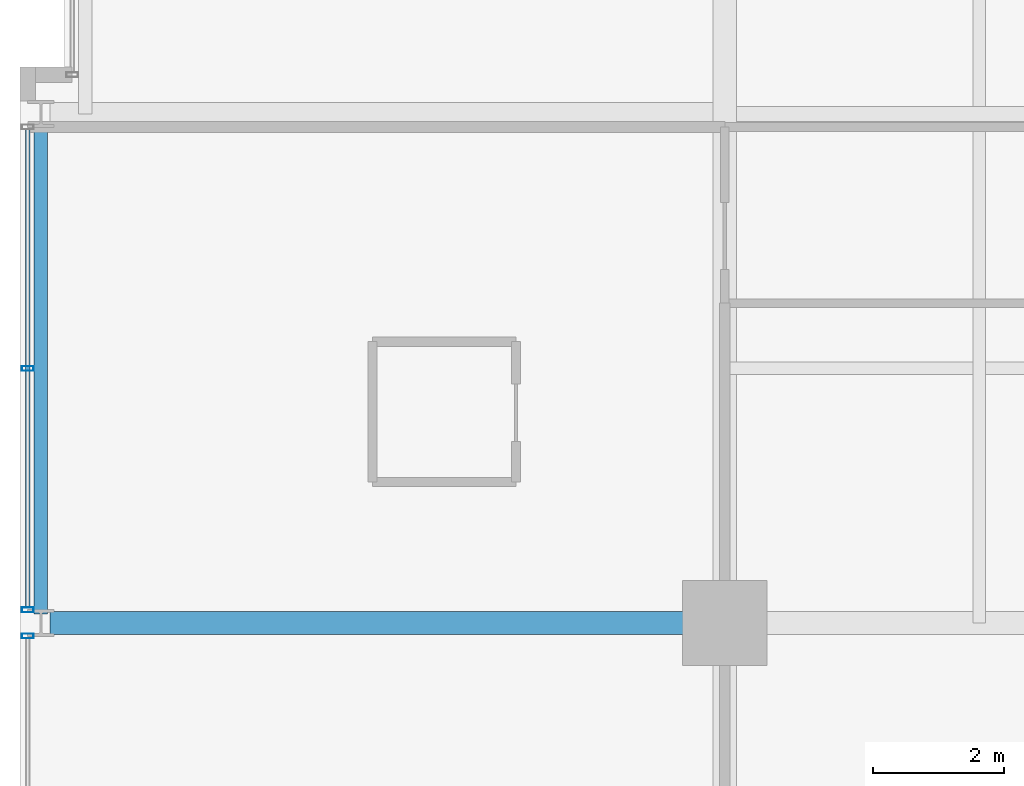
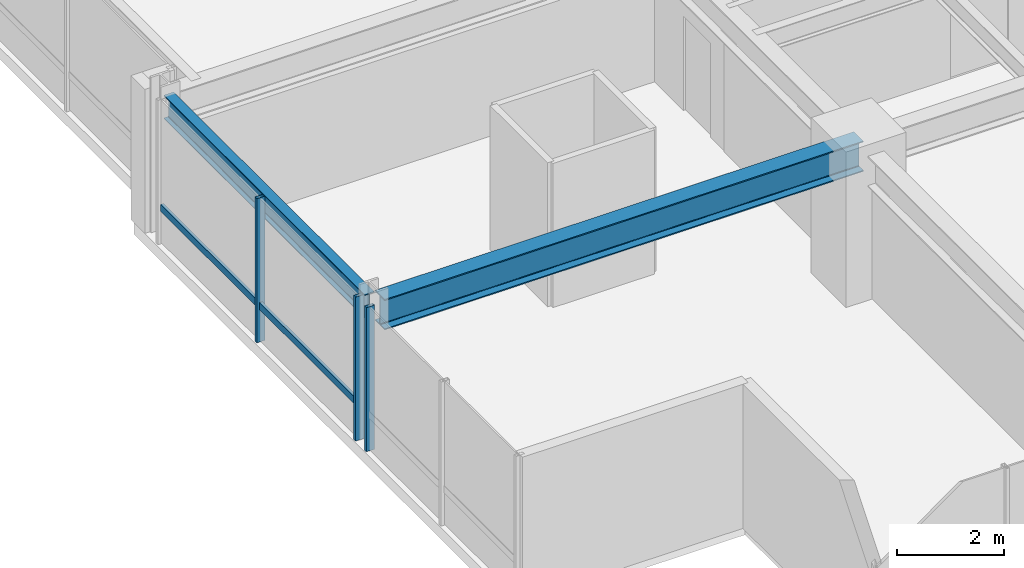
# One storey, part 4 of 33: 4 members, 2 beams, 2 elements without a shape of their own.
"""IFC4 building model written with IfcOpenShell, lengths in metres."""

import ifcopenshell
import ifcopenshell.guid

model = None  # the IFC model being written
_history = None  # IfcOwnerHistory: only IFC2X3 demands one
_inside = {}  # id of a spatial element -> (the spatial element, [elements in it])
_under = {}  # id of a project, library or spatial element -> (it, [spatial elements below it])
_declared = {}  # id of a project -> (the project, [libraries it declares])
_typed = {}  # id of a type object -> (the type object, [elements of that type])
_made_of = {}  # id of a material, layer set ... -> (it, [elements and type objects made of it])


def new_model(schema):
    """Start an empty IFC model of exactly this schema.

    Asked for "IFC4X3", IfcOpenShell would pick the latest addendum, in which some entities
    have other attributes; the version numbers below select the first issue.
    IFC2X3 requires an IfcOwnerHistory on every rooted entity: one is made here for all.
    """
    global model, _history
    if schema == "IFC4X3":
        model = ifcopenshell.file(schema_version=(4, 3, 0, 0))
    else:
        model = ifcopenshell.file(schema=schema)
    _inside.clear()
    _under.clear()
    _declared.clear()
    _typed.clear()
    _made_of.clear()
    _history = None
    if model.schema == "IFC2X3":
        org = make("IfcOrganization", Name="unknown")
        user = make(
            "IfcPersonAndOrganization",
            ThePerson=make("IfcPerson", FamilyName="unknown"),
            TheOrganization=org,
        )
        app = make(
            "IfcApplication",
            ApplicationDeveloper=org,
            Version="unknown",
            ApplicationFullName="unknown",
            ApplicationIdentifier="unknown",
        )
        _history = make(
            "IfcOwnerHistory",
            OwningUser=user,
            OwningApplication=app,
            ChangeAction="ADDED",
            CreationDate=0,
        )
    return model


def make(cls, **values):
    """One entity of the class cls with the attributes given. An attribute that is None is left unset."""
    return model.create_entity(
        cls, **{name: value for name, value in values.items() if value is not None}
    )


def rooted(cls, **values):
    """An entity with a GlobalId (a new one), such as an element, a storey or a relation."""
    return make(cls, GlobalId=ifcopenshell.guid.new(), OwnerHistory=_history, **values)


def si_unit(unit_type, name, prefix=None):
    """IfcSIUnit, for example si_unit("LENGTHUNIT", "METRE", prefix="MILLI")."""
    return make("IfcSIUnit", UnitType=unit_type, Prefix=prefix, Name=name)


def assignment(units):
    """IfcUnitAssignment: the units of a project."""
    return None if units is None else make("IfcUnitAssignment", Units=units)


def point(xyz):
    """IfcCartesianPoint."""
    return None if xyz is None else make("IfcCartesianPoint", Coordinates=xyz)


def direction(xyz):
    """IfcDirection."""
    return None if xyz is None else make("IfcDirection", DirectionRatios=xyz)


def frame(location, z_axis=None, x_axis=None):
    """IfcAxis2Placement3D, a coordinate frame: its origin and axes. An axis left out is left unset."""
    return make(
        "IfcAxis2Placement3D",
        Location=point(location),
        Axis=direction(z_axis),
        RefDirection=direction(x_axis),
    )


def frame_2d(location, x_axis=None):
    """IfcAxis2Placement2D, a coordinate frame in the plane: its origin and x axis."""
    return make(
        "IfcAxis2Placement2D", Location=point(location), RefDirection=direction(x_axis)
    )


def origin():
    """The frame at (0, 0, 0) with its axes left unset."""
    return frame((0.0, 0.0, 0.0))


def origin_2d():
    """The frame at (0, 0) in the plane with its x axis left unset."""
    return frame_2d((0.0, 0.0))


def place(relative_to, where):
    """IfcLocalPlacement: puts the frame where relative to a parent placement (None: the world)."""
    return make(
        "IfcLocalPlacement", PlacementRelTo=relative_to, RelativePlacement=where
    )


def context(
    kind, dimensions, precision=None, world=None, true_north=None, identifier=None
):
    """IfcGeometricRepresentationContext, for example the 3D "Model" context."""
    return make(
        "IfcGeometricRepresentationContext",
        ContextIdentifier=identifier,
        ContextType=kind,
        CoordinateSpaceDimension=dimensions,
        Precision=precision,
        WorldCoordinateSystem=world,
        TrueNorth=true_north,
    )


def subcontext(parent, identifier, kind, view, scale=None):
    """IfcGeometricRepresentationSubContext, for example "Body" below "Model"."""
    return make(
        "IfcGeometricRepresentationSubContext",
        ContextIdentifier=identifier,
        ContextType=kind,
        ParentContext=parent,
        TargetScale=scale,
        TargetView=view,
    )


def project(units=None, contexts=None):
    """IfcProject with its units and contexts."""
    return rooted(
        "IfcProject",
        Name="project",
        RepresentationContexts=contexts,
        UnitsInContext=assignment(units),
    )


def spatial(cls, under=None, at=None, **own):
    """A site, building, storey or space (cls), placed at a placement, below another one or the project."""
    s = rooted(cls, ObjectPlacement=at, **own)
    if under is not None:
        _under.setdefault(under.id(), (under, []))[1].append(s)
    return s


def profile(cls, at=None, kind="AREA", **sizes):
    """A parametric profile (cls). Its sizes go by their IFC names, for example OverallWidth=200.0."""
    return make(cls, ProfileType=kind, Position=at, **sizes)


def hollow_rectangle(**sizes):
    """IfcRectangleHollowProfileDef."""
    return profile("IfcRectangleHollowProfileDef", **sizes)


def i_section(**sizes):
    """IfcIShapeProfileDef."""
    return profile("IfcIShapeProfileDef", **sizes)


def extrude(swept, where, along, depth):
    """IfcExtrudedAreaSolid: the profile swept, set in the frame where, extruded along a direction by depth."""
    return make(
        "IfcExtrudedAreaSolid",
        SweptArea=swept,
        Position=where,
        ExtrudedDirection=direction(along),
        Depth=depth,
    )


def shape(context_of_items, identifier, shape_type, items):
    """IfcShapeRepresentation: the items that make up one representation, for example the "Body"."""
    return make(
        "IfcShapeRepresentation",
        ContextOfItems=context_of_items,
        RepresentationIdentifier=identifier,
        RepresentationType=shape_type,
        Items=items,
    )


def material(Name=None, Category=None):
    """IfcMaterial."""
    return make("IfcMaterial", Name=Name, Category=Category)


def layer(
    of_material, thickness, ventilated=None, Name=None, Category=None, Priority=None
):
    """IfcMaterialLayer: one layer of a wall or slab, of a material (None: an air gap)."""
    return make(
        "IfcMaterialLayer",
        Material=of_material,
        LayerThickness=thickness,
        IsVentilated=ventilated,
        Name=Name,
        Category=Category,
        Priority=Priority,
    )


def layer_set(layers, Name=None):
    """IfcMaterialLayerSet."""
    return make("IfcMaterialLayerSet", MaterialLayers=layers, LayerSetName=Name)


def material_profile(
    of_material, cross_section, Name=None, Category=None, Priority=None
):
    """IfcMaterialProfile: a cross section and its material."""
    return make(
        "IfcMaterialProfile",
        Name=Name,
        Material=of_material,
        Profile=cross_section,
        Priority=Priority,
        Category=Category,
    )


def profile_set(profiles, Name=None, composite=None):
    """IfcMaterialProfileSet."""
    return make(
        "IfcMaterialProfileSet",
        Name=Name,
        MaterialProfiles=profiles,
        CompositeProfile=composite,
    )


def made_of(thing, what):
    """Note that an element or type object is made of a material, layer set ...; save() writes the relation."""
    if what is not None:
        _made_of.setdefault(what.id(), (what, []))[1].append(thing)
    return thing


def type_object(cls, material=None, **own):
    """A type object (cls), such as IfcWallType, which elements share."""
    return made_of(rooted(cls, **own), material)


def element(
    cls,
    number,
    at=None,
    inside=None,
    cuts=None,
    type_object=None,
    material=None,
    context=None,
    identifier="Body",
    shape_type=None,
    held_by="IfcProductDefinitionShape",
    body=None,
    shapes=None,
    **own,
):
    """One element of the class cls, such as IfcWall. Its Tag is "e" and its number.

    at: its placement. inside: the storey or other place that contains it. cuts: it is an
    opening in that element (IfcRelVoidsElement). A single representation is given by context,
    identifier, shape_type and body (its items); several are given by shapes. held_by: the class
    of the entity that holds the representations. save() writes the other relations.
    """
    e = rooted(cls, Tag="e%d" % number, ObjectPlacement=at, **own)
    if body is not None:
        shapes = [shape(context, identifier, shape_type, body)]
    if shapes is not None:
        e.Representation = make(held_by, Representations=shapes)
    if inside is not None:
        _inside.setdefault(inside.id(), (inside, []))[1].append(e)
    if cuts is not None:
        rooted(
            "IfcRelVoidsElement", RelatingBuildingElement=cuts, RelatedOpeningElement=e
        )
    if type_object is not None:
        _typed.setdefault(type_object.id(), (type_object, []))[1].append(e)
    return made_of(e, material)


def aggregate(whole, parts):
    """IfcRelAggregates: a whole, such as a stair, and the parts it consists of."""
    return rooted("IfcRelAggregates", RelatingObject=whole, RelatedObjects=parts)


def save(model, path):
    """Write the relations noted so far, then the file.

    IfcRelAggregates (storeys below a building ...), IfcRelContainedInSpatialStructure (elements
    in a storey), IfcRelDefinesByType, IfcRelAssociatesMaterial and IfcRelDeclares: one each for
    every whole, place, type object, material and project.
    """
    for whole, parts in _under.values():
        aggregate(whole, parts)
    for where, things in _inside.values():
        rooted(
            "IfcRelContainedInSpatialStructure",
            RelatedElements=things,
            RelatingStructure=where,
        )
    for kind, things in _typed.values():
        rooted("IfcRelDefinesByType", RelatedObjects=things, RelatingType=kind)
    for what, things in _made_of.values():
        rooted("IfcRelAssociatesMaterial", RelatedObjects=things, RelatingMaterial=what)
    for by, libraries in _declared.values():
        rooted("IfcRelDeclares", RelatingContext=by, RelatedDefinitions=libraries)
    model.write(path)


model = new_model("IFC4")

# Units and contexts
model_context = context("Model", 3, precision=1e-05, world=origin(), true_north=direction((0.0, 1.0)))
body_context = subcontext(model_context, "Body", "Model", "MODEL_VIEW")
ifc_project = project(units=[si_unit("LENGTHUNIT", "METRE"), si_unit("AREAUNIT", "SQUARE_METRE"), si_unit("VOLUMEUNIT", "CUBIC_METRE"), si_unit("PLANEANGLEUNIT", "RADIAN"), si_unit("MASSUNIT", "GRAM", prefix="KILO")], contexts=[model_context])

# Site, building, storey
site_placement = place(None, origin())
site = spatial("IfcSite", under=ifc_project, at=site_placement, CompositionType="ELEMENT")
building_placement = place(site_placement, origin())
building = spatial("IfcBuilding", under=site, at=building_placement, Name="Drelvath Grand Hotel", CompositionType="ELEMENT")
storey_placement = place(building_placement, frame((0.0, 0.0, 161.050048828125)))
storey = spatial("IfcBuildingStorey", under=building, at=storey_placement, Name="L41", CompositionType="ELEMENT", Elevation=161.050048828125)

# Curtain wall, member
ifc_material_1 = material(Name="Brushed Pale-Silver Anodised Aluminium Frame", Category="aluminium")
ifc_layer = layer(ifc_material_1, 0.199951171875)
ifc_layer_set = layer_set([ifc_layer], Name="Brushed Pale-Silver Anodised Aluminium Frame")
curtain_wall_type = type_object("IfcCurtainWallType", Name="Stick Curtain Wall CW-04 Brushed Silver Upper-Mid", PredefinedType="NOTDEFINED", material=ifc_layer_set)
curtain_wall_1_placement = place(storey_placement, origin())
curtain_wall_1 = element("IfcCurtainWall", 1, at=curtain_wall_1_placement, inside=storey, type_object=curtain_wall_type, Name="L41 CW-04 Curtain Wall CW04-L41-WS2", PredefinedType="NOTDEFINED")
ifc_material_profile_1 = material_profile(ifc_material_1, hollow_rectangle(XDim=0.06494140625, YDim=0.159912109375, WallThickness=0.00390625, at=origin_2d()), Name="HSS160X65X4")
ifc_profile_set_1 = profile_set([ifc_material_profile_1], Name="Brushed Pale-Silver Anodised Aluminium Frame")
member_type_1 = type_object("IfcMemberType", Name="Curtain Wall Horizontal Transom CW-04 HSS160X65X4", PredefinedType="USERDEFINED", material=ifc_profile_set_1)
member_1_placement = place(storey_placement, frame((-26.8798828125, 11.0400390625, 0.822509765625), z_axis=(0.0, 1.0, 0.0), x_axis=(-1.0, 0.0, 0.0)))
member_1 = element("IfcMember", 2, at=member_1_placement, type_object=member_type_1, Name="CW04-L41-WS2 Sill Transom", ObjectType="TRANSOM", PredefinedType="USERDEFINED", context=body_context, shape_type="SweptSolid", body=[
    extrude(hollow_rectangle(XDim=0.06494140625, YDim=0.159912109375, WallThickness=0.00390625, at=origin_2d()), origin(), (0.0, 0.0, 1.0), 7.320068359375),
])

curtain_wall_2_placement = place(storey_placement, origin())
curtain_wall_2 = element("IfcCurtainWall", 3, at=curtain_wall_2_placement, inside=storey, type_object=curtain_wall_type, Name="L41 CW-04 Curtain Wall CW04-L41-WS1", PredefinedType="NOTDEFINED")
ifc_material_profile_2 = material_profile(ifc_material_1, hollow_rectangle(XDim=0.074951171875, YDim=0.179931640625, WallThickness=0.0048828125, at=origin_2d()), Name="HSS180X75X5")
ifc_profile_set_2 = profile_set([ifc_material_profile_2], Name="Brushed Pale-Silver Anodised Aluminium Frame")
member_type_2 = type_object("IfcMemberType", Name="Curtain Wall Vertical Mullion CW-04 HSS180X75X5", PredefinedType="MULLION", material=ifc_profile_set_2)
member_2_placement = place(storey_placement, frame((-26.8798828125, 10.599853515625, 0.0), z_axis=(0.0, 0.0, 1.0), x_axis=(0.0, 1.0, 0.0)))
member_2 = element("IfcMember", 4, at=member_2_placement, type_object=member_type_2, Name="CW04-L41-WS1 Mullion 3", PredefinedType="MULLION", context=body_context, shape_type="SweptSolid", body=[
    extrude(hollow_rectangle(XDim=0.074951171875, YDim=0.179931640625, WallThickness=0.0048828125, at=origin_2d()), origin(), (0.0, 0.0, 1.0), 3.2900390625),
])
aggregate(curtain_wall_2, [member_2])

# Member
member_3_placement = place(storey_placement, frame((-26.8798828125, 11.0, 0.0), z_axis=(0.0, 0.0, 1.0), x_axis=(0.0, 1.0, 0.0)))
member_3 = element("IfcMember", 5, at=member_3_placement, type_object=member_type_2, Name="CW04-L41-WS2 Mullion 1", PredefinedType="MULLION", context=body_context, shape_type="SweptSolid", body=[
    extrude(hollow_rectangle(XDim=0.074951171875, YDim=0.179931640625, WallThickness=0.0048828125, at=origin_2d()), origin(), (0.0, 0.0, 1.0), 3.2900390625),
])

member_4_placement = place(storey_placement, frame((-26.8798828125, 14.699951171875, 0.0), z_axis=(0.0, 0.0, 1.0), x_axis=(0.0, 1.0, 0.0)))
member_4 = element("IfcMember", 6, at=member_4_placement, type_object=member_type_2, Name="CW04-L41-WS2 Mullion 2", PredefinedType="MULLION", context=body_context, shape_type="SweptSolid", body=[
    extrude(hollow_rectangle(XDim=0.074951171875, YDim=0.179931640625, WallThickness=0.0048828125, at=origin_2d()), origin(), (0.0, 0.0, 1.0), 3.2900390625),
])

aggregate(curtain_wall_1, [member_3, member_4, member_1])

# Beams
ifc_material_2 = material(Name="Steel ASTM A992 Gr 50", Category="steel")
ifc_material_profile_3 = material_profile(ifc_material_2, i_section(OverallWidth=0.210205078125, OverallDepth=0.53662109375, WebThickness=0.010986328125, FlangeThickness=0.017333984375, FilletRadius=0.01806640625, at=origin_2d()), Name="W21X68")
ifc_profile_set_3 = profile_set([ifc_material_profile_3], Name="Steel ASTM A992 Gr 50")
beam_type_1 = type_object("IfcBeamType", Name="Perimeter Spandrel Beam W21X68", PredefinedType="SPANDREL", material=ifc_profile_set_3)
beam_1_placement = place(storey_placement, frame((-26.679931640625, 10.93994140625, 3.021728515625), z_axis=(0.0, 1.0, 0.0), x_axis=(-1.0, 0.0, 0.0)))
element("IfcBeam", 7, at=beam_1_placement, inside=storey, type_object=beam_type_1, Name="L41 Spandrel West S", PredefinedType="SPANDREL", context=body_context, shape_type="SweptSolid", body=[
    extrude(i_section(OverallWidth=0.210205078125, OverallDepth=0.53662109375, WebThickness=0.010986328125, FlangeThickness=0.017333984375, FilletRadius=0.01806640625, at=origin_2d()), origin(), (0.0, 0.0, 1.0), 7.52001953125),
])
ifc_material_profile_4 = material_profile(ifc_material_2, i_section(OverallWidth=0.354736328125, OverallDepth=0.695556640625, WebThickness=0.015380859375, FlangeThickness=0.025146484375, FilletRadius=0.02392578125, at=origin_2d()), Name="W27X146")
ifc_profile_set_4 = profile_set([ifc_material_profile_4], Name="Steel ASTM A992 Gr 50")
beam_type_2 = type_object("IfcBeamType", Name="Primary Floor Girder W27X146", PredefinedType="BEAM", material=ifc_profile_set_4)
beam_2_placement = place(storey_placement, frame((-26.5400390625, 10.800048828125, 2.942138671875), z_axis=(1.0, 0.0, 0.0), x_axis=(0.0, 1.0, 0.0)))
element("IfcBeam", 8, at=beam_2_placement, inside=storey, type_object=beam_type_2, Name="L41 West Grid Girder C", PredefinedType="BEAM", context=body_context, shape_type="SweptSolid", body=[
    extrude(i_section(OverallWidth=0.354736328125, OverallDepth=0.695556640625, WebThickness=0.015380859375, FlangeThickness=0.025146484375, FilletRadius=0.02392578125, at=origin_2d()), origin(), (0.0, 0.0, 1.0), 10.340087890625),
])

save(model, "model.ifc")
